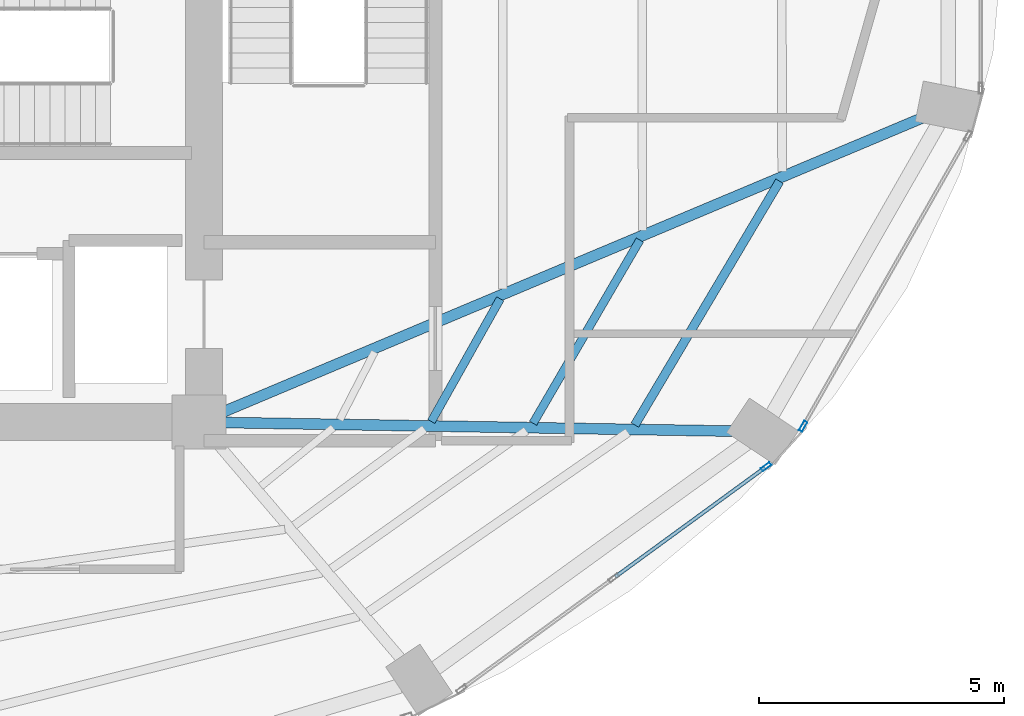
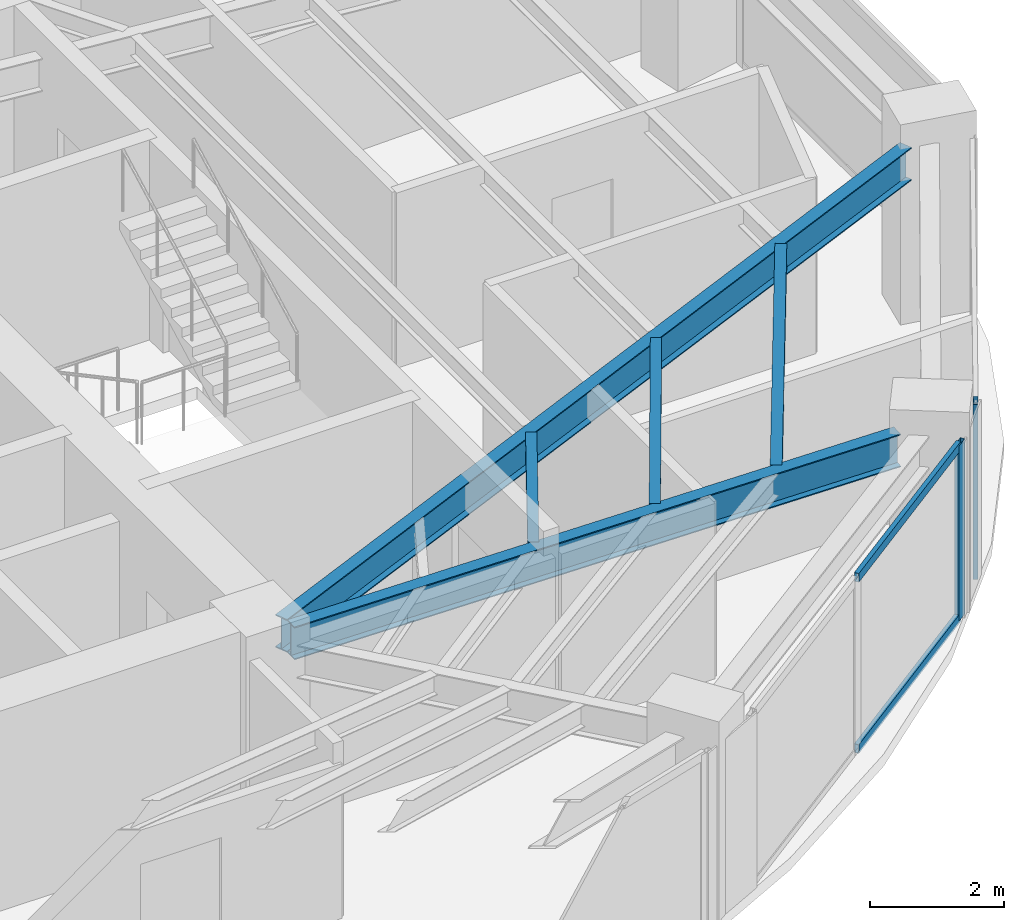
# One storey, part 11 of 24: 5 beams, 4 members, 2 elements without a shape of their own.
"""IFC4 building model written with IfcOpenShell, lengths in metres."""

from ifc_helpers import new_model, si_unit, direction, frame, origin, origin_2d, place, context, subcontext, project, spatial, hollow_rectangle, i_section, extrude, material, layer, layer_set, material_profile, profile_set, type_object, element, aggregate, save


model = new_model("IFC4")

# Units and contexts
model_context = context("Model", 3, precision=1e-05, world=origin(), true_north=direction((0.0, 1.0)))
body_context = subcontext(model_context, "Body", "Model", "MODEL_VIEW")
ifc_project = project(units=[si_unit("LENGTHUNIT", "METRE"), si_unit("AREAUNIT", "SQUARE_METRE"), si_unit("VOLUMEUNIT", "CUBIC_METRE"), si_unit("PLANEANGLEUNIT", "RADIAN"), si_unit("MASSUNIT", "GRAM", prefix="KILO")], contexts=[model_context])

# Site, building, storey
site_placement = place(None, origin())
site = spatial("IfcSite", under=ifc_project, at=site_placement, CompositionType="ELEMENT")
building_placement = place(site_placement, origin())
building = spatial("IfcBuilding", under=site, at=building_placement, Name="Lazwardi Medical Tower", CompositionType="ELEMENT")
storey_placement = place(building_placement, frame((0.0, 0.0, 129.16796875)))
storey = spatial("IfcBuildingStorey", under=building, at=storey_placement, Name="L33", CompositionType="ELEMENT", Elevation=129.16796875)

# Beams
ifc_material_1 = material(Name="Steel S355", Category="steel")
ifc_material_profile_1 = material_profile(ifc_material_1, i_section(OverallWidth=0.219970703125, OverallDepth=0.60009765625, WebThickness=0.011962890625, FlangeThickness=0.01904296875, at=origin_2d()), Name="IPE 600")
ifc_profile_set_1 = profile_set([ifc_material_profile_1], Name="Steel S355")
beam_type_1 = type_object("IfcBeamType", Name="BM-RG-W1", PredefinedType="BEAM", material=ifc_profile_set_1)
beam_1_placement = place(storey_placement, frame((56.497802734375, 20.215087890625, 2.89794921875), z_axis=(-0.99985616395, 0.016960289263, 0.0), x_axis=(-0.016960289263, -0.99985616395, 0.0)))
element("IfcBeam", 1, at=beam_1_placement, inside=storey, type_object=beam_type_1, Name="Radial girder RG-02 R03 L33", PredefinedType="BEAM", context=body_context, shape_type="SweptSolid", body=[
    extrude(i_section(OverallWidth=0.219970703125, OverallDepth=0.60009765625, WebThickness=0.011962890625, FlangeThickness=0.01904296875, at=origin_2d()), origin(), (0.0, 0.0, 1.0), 10.3642578125),
])
beam_2_placement = place(storey_placement, frame((60.328369140625, 26.59521484375, 2.89794921875), z_axis=(-0.921775176005, -0.38772480563, 0.0), x_axis=(0.38772480563, -0.921775176005, 0.0)))
element("IfcBeam", 2, at=beam_2_placement, inside=storey, type_object=beam_type_1, Name="Radial girder RG-02 R04 L33", PredefinedType="BEAM", context=body_context, shape_type="SweptSolid", body=[
    extrude(i_section(OverallWidth=0.219970703125, OverallDepth=0.60009765625, WebThickness=0.011962890625, FlangeThickness=0.01904296875, at=origin_2d()), origin(), (0.0, 0.0, 1.0), 15.443359375),
])
ifc_material_profile_2 = material_profile(ifc_material_1, i_section(OverallWidth=0.179931640625, OverallDepth=0.39990234375, WebThickness=0.008544921875, FlangeThickness=0.013427734375, at=origin_2d()), Name="IPE 400")
ifc_profile_set_2 = profile_set([ifc_material_profile_2], Name="Steel S355")
beam_type_2 = type_object("IfcBeamType", Name="BM-SJ-01", PredefinedType="JOIST", material=ifc_profile_set_2)
beam_3_placement = place(storey_placement, frame((54.47900390625, 20.340576171875, 2.998046875), z_axis=(0.510499691073, 0.859877936346, 0.0), x_axis=(-0.859877936346, 0.510499691073, 0.0)))
element("IfcBeam", 3, at=beam_3_placement, inside=storey, type_object=beam_type_2, Name="Secondary joist SJ-01 R1 B03 L33", PredefinedType="JOIST", context=body_context, shape_type="SweptSolid", body=[
    extrude(i_section(OverallWidth=0.179931640625, OverallDepth=0.39990234375, WebThickness=0.008544921875, FlangeThickness=0.013427734375, at=origin_2d()), origin(), (0.0, 0.0, 1.0), 5.776123046875),
])
ifc_material_profile_3 = material_profile(ifc_material_1, i_section(OverallWidth=0.169921875, OverallDepth=0.360107421875, WebThickness=0.008056640625, FlangeThickness=0.0126953125, at=origin_2d()), Name="IPE 360")
ifc_profile_set_3 = profile_set([ifc_material_profile_3], Name="Steel S355")
beam_type_3 = type_object("IfcBeamType", Name="BM-SJ-02", PredefinedType="JOIST", material=ifc_profile_set_3)
beam_4_placement = place(storey_placement, frame((52.405517578125, 20.376220703125, 3.01806640625), z_axis=(0.503544274258, 0.86396942299, 0.0), x_axis=(-0.86396942299, 0.503544274258, 0.0)))
element("IfcBeam", 4, at=beam_4_placement, inside=storey, type_object=beam_type_3, Name="Secondary joist SJ-02 R2 B03 L33", PredefinedType="JOIST", context=body_context, shape_type="SweptSolid", body=[
    extrude(i_section(OverallWidth=0.169921875, OverallDepth=0.360107421875, WebThickness=0.008056640625, FlangeThickness=0.0126953125, at=origin_2d()), origin(), (0.0, 0.0, 1.0), 4.321044921875),
])
beam_5_placement = place(storey_placement, frame((50.33154296875, 20.412109375, 3.01806640625), z_axis=(0.489860824278, 0.871800649711, 0.0), x_axis=(-0.871800649711, 0.489860824278, 0.0)))
element("IfcBeam", 5, at=beam_5_placement, inside=storey, type_object=beam_type_3, Name="Secondary joist SJ-02 R3 B03 L33", PredefinedType="JOIST", context=body_context, shape_type="SweptSolid", body=[
    extrude(i_section(OverallWidth=0.169921875, OverallDepth=0.360107421875, WebThickness=0.008056640625, FlangeThickness=0.0126953125, at=origin_2d()), origin(), (0.0, 0.0, 1.0), 2.8662109375),
])

# Curtain wall, member
ifc_material_2 = material(Name="Anodised bronze aluminium and solar control glazing", Category="aluminium")
ifc_layer = layer(ifc_material_2, 0.195068359375)
ifc_layer_set = layer_set([ifc_layer], Name="Anodised bronze aluminium and solar control glazing")
curtain_wall_type = type_object("IfcCurtainWallType", Name="CW-SYS-03", PredefinedType="NOTDEFINED", material=ifc_layer_set)
curtain_wall_1_placement = place(storey_placement, origin())
curtain_wall_1 = element("IfcCurtainWall", 6, at=curtain_wall_1_placement, inside=storey, type_object=curtain_wall_type, Name="L33 Unitised bronze curtain wall CW-03", PredefinedType="NOTDEFINED")
ifc_material_3 = material(Name="Anodised bronze aluminium", Category="aluminium")
ifc_material_profile_4 = material_profile(ifc_material_3, hollow_rectangle(XDim=0.074951171875, YDim=0.219970703125, WallThickness=0.00390625, at=origin_2d()), Name="ALU-MULLION 220x75x4")
ifc_profile_set_4 = profile_set([ifc_material_profile_4], Name="Anodised bronze aluminium")
member_type_1 = type_object("IfcMemberType", Name="CW-MUL-01", PredefinedType="MULLION", material=ifc_profile_set_4)
member_1_placement = place(storey_placement, frame((57.155029296875, 19.4912109375, 0.0), z_axis=(0.0, 0.0, 1.0), x_axis=(-0.589530882802, 0.807745837639, 0.0)))
member_1 = element("IfcMember", 7, at=member_1_placement, type_object=member_type_1, Name="CW-03 mullion 3", PredefinedType="MULLION", context=body_context, shape_type="SweptSolid", body=[
    extrude(hollow_rectangle(XDim=0.074951171875, YDim=0.219970703125, WallThickness=0.00390625, at=origin_2d()), origin(), (0.0, 0.0, 1.0), 3.197998046875),
])

curtain_wall_2_placement = place(storey_placement, origin())
curtain_wall_2 = element("IfcCurtainWall", 8, at=curtain_wall_2_placement, inside=storey, type_object=curtain_wall_type, Name="L33 Unitised bronze curtain wall CW-03", PredefinedType="NOTDEFINED")
member_2_placement = place(storey_placement, frame((57.9072265625, 20.314208984375, 0.0), z_axis=(0.0, 0.0, 1.0), x_axis=(-0.869687265712, 0.493603140041, 0.0)))
member_2 = element("IfcMember", 9, at=member_2_placement, type_object=member_type_1, Name="CW-03 mullion 1", PredefinedType="MULLION", context=body_context, shape_type="SweptSolid", body=[
    extrude(hollow_rectangle(XDim=0.074951171875, YDim=0.219970703125, WallThickness=0.00390625, at=origin_2d()), origin(), (0.0, 0.0, 1.0), 3.197998046875),
])
aggregate(curtain_wall_2, [member_2])

# Member
ifc_material_profile_5 = material_profile(ifc_material_3, hollow_rectangle(XDim=0.074951171875, YDim=0.159912109375, WallThickness=0.00390625, at=origin_2d()), Name="ALU-TRANSOM 160x75x4")
ifc_profile_set_5 = profile_set([ifc_material_profile_5], Name="Anodised bronze aluminium")
member_type_2 = type_object("IfcMemberType", Name="CW-TRN-01", PredefinedType="USERDEFINED", material=ifc_profile_set_5)
member_3_placement = place(storey_placement, frame((54.081298828125, 17.247802734375, 0.03759765625), z_axis=(0.807731734271, 0.589550206049, 0.0), x_axis=(-0.589550206049, 0.807731734271, 0.0)))
member_3 = element("IfcMember", 10, at=member_3_placement, type_object=member_type_2, Name="CW-03 transom 2.1", ObjectType="TRANSOM", PredefinedType="USERDEFINED", context=body_context, shape_type="SweptSolid", body=[
    extrude(hollow_rectangle(XDim=0.074951171875, YDim=0.159912109375, WallThickness=0.00390625, at=origin_2d()), origin(), (0.0, 0.0, 1.0), 3.767578125),
])

member_4_placement = place(storey_placement, frame((54.081298828125, 17.247802734375, 3.16064453125), z_axis=(0.807731734271, 0.589550206049, 0.0), x_axis=(-0.589550206049, 0.807731734271, 0.0)))
member_4 = element("IfcMember", 11, at=member_4_placement, type_object=member_type_2, Name="CW-03 transom 2.2", ObjectType="TRANSOM", PredefinedType="USERDEFINED", context=body_context, shape_type="SweptSolid", body=[
    extrude(hollow_rectangle(XDim=0.074951171875, YDim=0.159912109375, WallThickness=0.00390625, at=origin_2d()), origin(), (0.0, 0.0, 1.0), 3.767578125),
])

aggregate(curtain_wall_1, [member_1, member_3, member_4])

save(model, "model.ifc")
